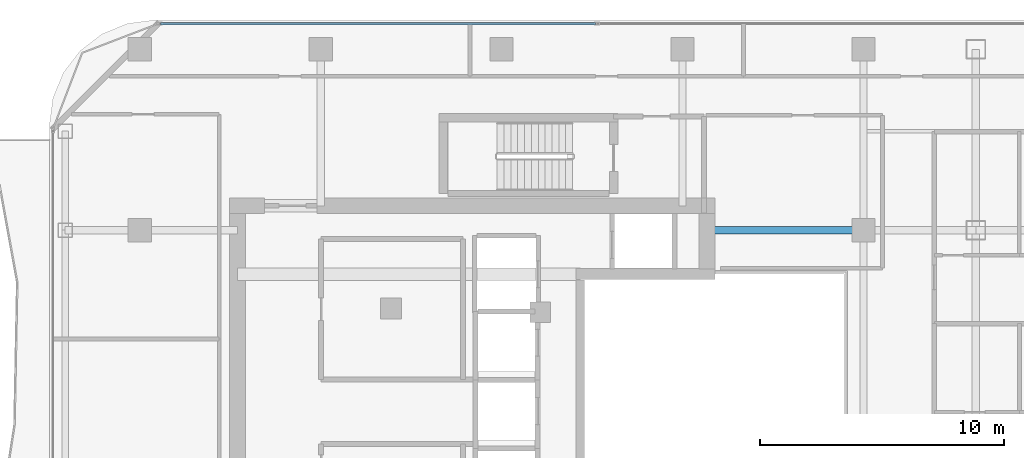
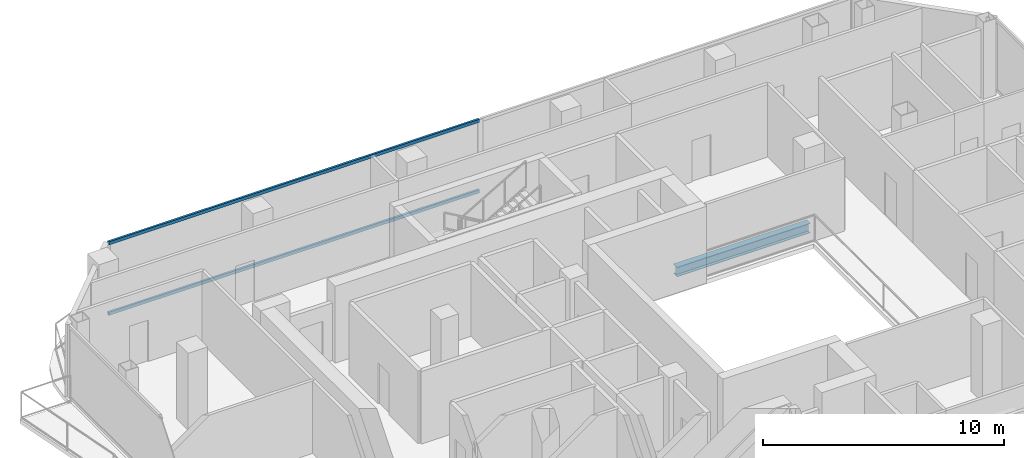
# One storey, part 14 of 27: 2 members, 1 beam, 1 element without a shape of its own.
"""IFC4 building model written with IfcOpenShell, lengths in metres."""

from ifc_helpers import new_model, si_unit, direction, frame, origin, origin_2d, place, context, subcontext, project, spatial, hollow_rectangle, i_section, extrude, material, layer, layer_set, material_profile, profile_set, type_object, element, aggregate, save


model = new_model("IFC4")

# Units and contexts
model_context = context("Model", 3, precision=1e-05, world=origin(), true_north=direction((0.0, 1.0)))
body_context = subcontext(model_context, "Body", "Model", "MODEL_VIEW")
ifc_project = project(units=[si_unit("LENGTHUNIT", "METRE"), si_unit("AREAUNIT", "SQUARE_METRE"), si_unit("VOLUMEUNIT", "CUBIC_METRE"), si_unit("PLANEANGLEUNIT", "RADIAN"), si_unit("MASSUNIT", "GRAM", prefix="KILO")], contexts=[model_context])

# Site, building, storey
site_placement = place(None, origin())
site = spatial("IfcSite", under=ifc_project, at=site_placement, CompositionType="ELEMENT")
building_placement = place(site_placement, origin())
building = spatial("IfcBuilding", under=site, at=building_placement, Name="Khorvyn Point Tower", CompositionType="ELEMENT")
storey_placement = place(building_placement, frame((0.0, 0.0, 243.0)))
storey = spatial("IfcBuildingStorey", under=building, at=storey_placement, Name="L59", CompositionType="ELEMENT", Elevation=243.0)

# Curtain wall, members
ifc_material_1 = material(Name="Anodised aluminium 6063-T6 and laminated Low-E glass", Category="aluminium")
ifc_layer = layer(ifc_material_1, 0.18994140625)
ifc_layer_set = layer_set([ifc_layer], Name="Stick-Built Acoustic Curtain Wall CW-SYS-03")
curtain_wall_type = type_object("IfcCurtainWallType", Name="Stick-Built Acoustic Curtain Wall CW-SYS-03", PredefinedType="NOTDEFINED", material=ifc_layer_set)
curtain_wall_placement = place(storey_placement, origin())
curtain_wall = element("IfcCurtainWall", 1, at=curtain_wall_placement, inside=storey, type_object=curtain_wall_type, Name="Curtain Wall", PredefinedType="NOTDEFINED")
ifc_material_2 = material(Name="Anodised aluminium 6063-T6", Category="aluminium")
ifc_material_profile_1 = material_profile(ifc_material_2, hollow_rectangle(XDim=0.10009765625, YDim=0.159912109375, WallThickness=0.00439453125, at=origin_2d()))
ifc_profile_set_1 = profile_set([ifc_material_profile_1], Name="Anodised aluminium 6063-T6 ALU-TRN-100x160")
member_type = type_object("IfcMemberType", Name="Anodised Aluminium 6063-T6 Transom ALU-TRN-100x160", PredefinedType="USERDEFINED", material=ifc_profile_set_1)
member_1_placement = place(storey_placement, frame((-13.949951171875, 15.85009765625, 0.050048828125), z_axis=(1.0, 0.0, 0.0), x_axis=(0.0, 1.0, 0.0)))
member_1 = element("IfcMember", 2, at=member_1_placement, type_object=member_type, Name="Transom", ObjectType="TRANSOM", PredefinedType="USERDEFINED", context=body_context, shape_type="SweptSolid", body=[
    extrude(hollow_rectangle(XDim=0.10009765625, YDim=0.159912109375, WallThickness=0.00439453125, at=origin_2d()), origin(), (0.0, 0.0, 1.0), 17.800048828125),
])
member_2_placement = place(storey_placement, frame((-13.949951171875, 15.85009765625, 3.6298828125), z_axis=(1.0, 0.0, 0.0), x_axis=(0.0, 1.0, 0.0)))
member_2 = element("IfcMember", 3, at=member_2_placement, type_object=member_type, Name="Transom", ObjectType="TRANSOM", PredefinedType="USERDEFINED", context=body_context, shape_type="SweptSolid", body=[
    extrude(hollow_rectangle(XDim=0.10009765625, YDim=0.159912109375, WallThickness=0.00439453125, at=origin_2d()), origin(), (0.0, 0.0, 1.0), 17.800048828125),
])
aggregate(curtain_wall, [member_1, member_2])

# Beam
ifc_material_3 = material(Name="Steel S355", Category="steel")
ifc_material_profile_2 = material_profile(ifc_material_3, i_section(OverallWidth=0.300048828125, OverallDepth=0.488037109375, WebThickness=0.010986328125, FlangeThickness=0.01806640625, at=origin_2d()))
ifc_profile_set_2 = profile_set([ifc_material_profile_2], Name="Steel S355 H488x300x11x18")
beam_type = type_object("IfcBeamType", Name="Steel S355 Spandrel H488x300x11x18", PredefinedType="SPANDREL", material=ifc_profile_set_2)
beam_placement = place(storey_placement, frame((8.39990234375, 7.39990234375, -0.464111328125), z_axis=(1.0, 0.0, 0.0), x_axis=(0.0, 1.0, 0.0)))
element("IfcBeam", 4, at=beam_placement, inside=storey, type_object=beam_type, Name="Beam", PredefinedType="SPANDREL", context=body_context, shape_type="SweptSolid", body=[
    extrude(i_section(OverallWidth=0.300048828125, OverallDepth=0.488037109375, WebThickness=0.010986328125, FlangeThickness=0.01806640625, at=origin_2d()), origin(), (0.0, 0.0, 1.0), 6.400146484375),
])

save(model, "model.ifc")
